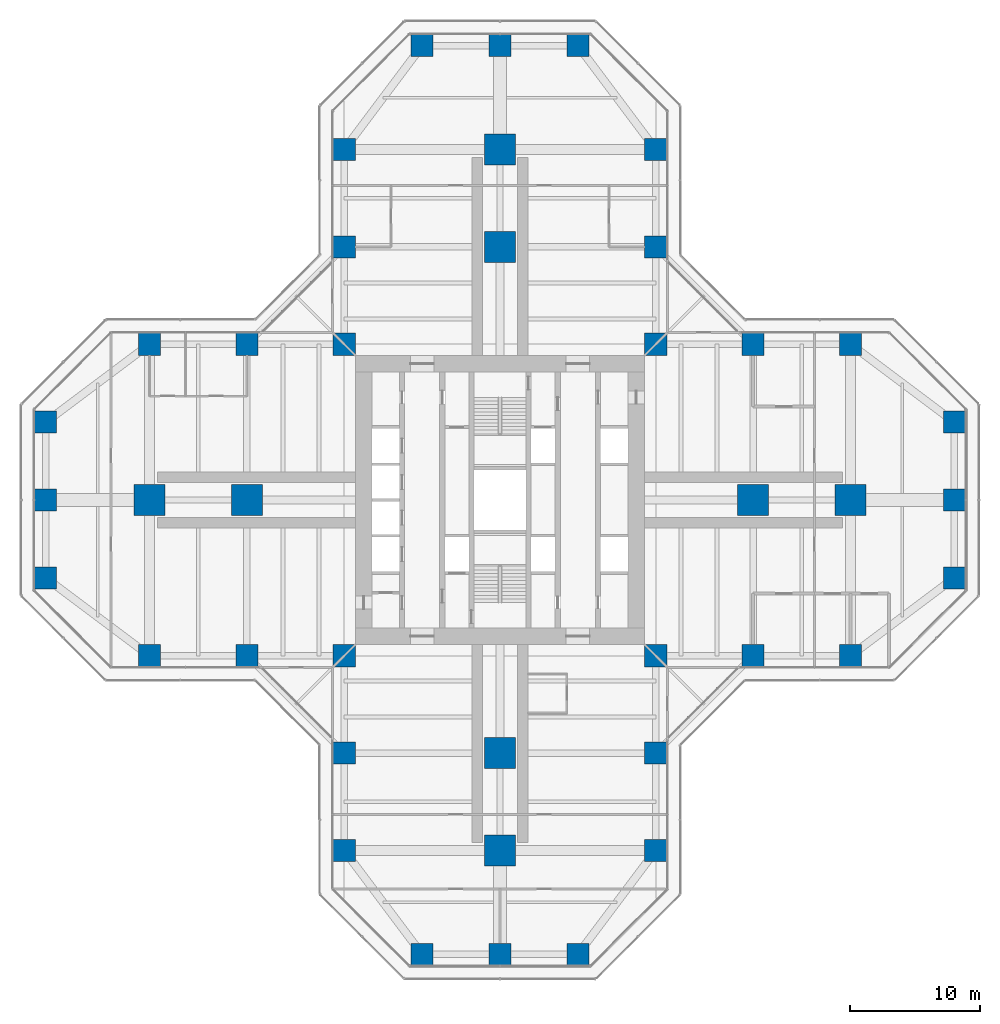
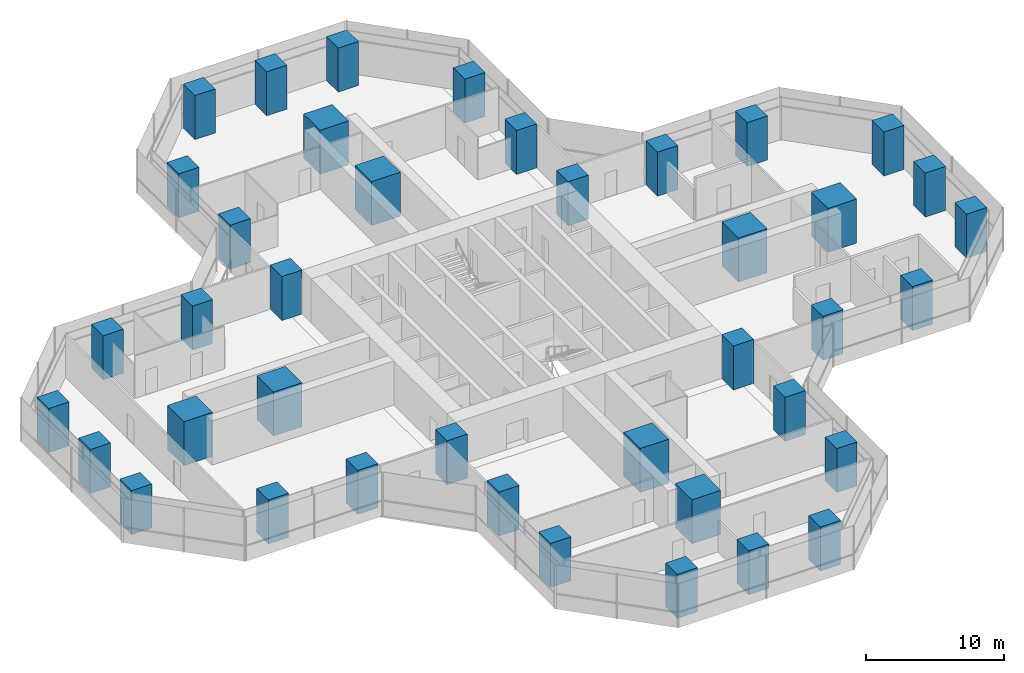
# One storey, part 1 of 22: 40 columns.
"""IFC4 building model written with IfcOpenShell, lengths in metres."""

from ifc_helpers import new_model, si_unit, direction, frame, origin, origin_2d, place, context, subcontext, project, spatial, rectangle, extrude, material, material_profile, profile_set, type_object, element, save


model = new_model("IFC4")

# Units and contexts
model_context = context("Model", 3, precision=1e-05, world=origin(), true_north=direction((0.0, 1.0)))
body_context = subcontext(model_context, "Body", "Model", "MODEL_VIEW")
ifc_project = project(units=[si_unit("LENGTHUNIT", "METRE"), si_unit("AREAUNIT", "SQUARE_METRE"), si_unit("VOLUMEUNIT", "CUBIC_METRE"), si_unit("PLANEANGLEUNIT", "RADIAN"), si_unit("MASSUNIT", "GRAM", prefix="KILO")], contexts=[model_context])

# Site, building, storey
site_placement = place(None, origin())
site = spatial("IfcSite", under=ifc_project, at=site_placement, CompositionType="ELEMENT")
building_placement = place(site_placement, origin())
building = spatial("IfcBuilding", under=site, at=building_placement, Name="Mizan Broadcast Tower", CompositionType="ELEMENT")
storey_placement = place(building_placement, frame((0.0, 0.0, 82.5)))
storey = spatial("IfcBuildingStorey", under=building, at=storey_placement, Name="L17", CompositionType="ELEMENT", Elevation=82.5)

# Columns
ifc_material_1 = material(Name="Concrete C70/85", Category="concrete")
ifc_material_profile_1 = material_profile(ifc_material_1, rectangle(XDim=1.699951171875, YDim=1.699951171875, at=origin_2d()), Name="RC 1700x1700")
ifc_profile_set_1 = profile_set([ifc_material_profile_1], Name="Concrete C70/85")
column_type_1 = type_object("IfcColumnType", Name="RC COLUMN 1700x1700 C70/85", PredefinedType="COLUMN", material=ifc_profile_set_1)
for number, where, z_axis, x_axis, name in (
    (1, (-6.0, -35.0, 0.0), (0.0, 0.0, 1.0), (1.0, 0.0, 0.0), "Column 5/A L17"),
    (2, (0.0, -35.0, 0.0), (0.0, 0.0, 1.0), (1.0, 0.0, 0.0), "Column 6/A L17"),
    (3, (6.0, -35.0, 0.0), (0.0, 0.0, 1.0), (1.0, 0.0, 0.0), "Column 7/A L17"),
    (4, (-12.0, -27.0, 0.0), (0.0, 0.0, 1.0), (1.0, 0.0, 0.0), "Column 4/B L17"),
    (5, (12.0, -27.0, 0.0), (0.0, 0.0, 1.0), (1.0, 0.0, 0.0), "Column 8/B L17"),
    (6, (-12.0, -19.5, 0.0), (0.0, 0.0, 1.0), (1.0, 0.0, 0.0), "Column 4/C L17"),
    (7, (12.0, -19.5, 0.0), (0.0, 0.0, 1.0), (1.0, 0.0, 0.0), "Column 8/C L17"),
    (8, (-27.0, -12.0, 0.0), (0.0, 0.0, 1.0), (1.0, 0.0, 0.0), "Column 2/D L17"),
    (9, (-19.5, -12.0, 0.0), (0.0, 0.0, 1.0), (1.0, 0.0, 0.0), "Column 3/D L17"),
    (10, (-12.0, -12.0, 0.0), (0.0, 0.0, 1.0), (1.0, 0.0, 0.0), "Column 4/D L17"),
    (11, (12.0, -12.0, 0.0), (0.0, 0.0, 1.0), (1.0, 0.0, 0.0), "Column 8/D L17"),
    (12, (19.5, -12.0, 0.0), (0.0, 0.0, 1.0), (1.0, 0.0, 0.0), "Column 9/D L17"),
    (13, (27.0, -12.0, 0.0), (0.0, 0.0, 1.0), (1.0, 0.0, 0.0), "Column 10/D L17"),
    (14, (-35.0, -6.0, 0.0), (0.0, 0.0, 1.0), (1.0, 0.0, 0.0), "Column 1/E L17"),
    (15, (35.0, -6.0, 0.0), (0.0, 0.0, 1.0), (1.0, 0.0, 0.0), "Column 11/E L17"),
    (16, (-35.0, 0.0, 0.0), (0.0, 0.0, 1.0), (1.0, 0.0, 0.0), "Column 1/F L17"),
    (17, (35.0, 0.0, 0.0), (0.0, 0.0, 1.0), (1.0, 0.0, 0.0), "Column 11/F L17"),
    (18, (-35.0, 6.0, 0.0), (0.0, 0.0, 1.0), (1.0, 0.0, 0.0), "Column 1/G L17"),
    (19, (35.0, 6.0, 0.0), (0.0, 0.0, 1.0), (1.0, 0.0, 0.0), "Column 11/G L17"),
    (20, (-27.0, 12.0, 0.0), (0.0, 0.0, 1.0), (1.0, 0.0, 0.0), "Column 2/H L17"),
    (21, (-19.5, 12.0, 0.0), (0.0, 0.0, 1.0), (1.0, 0.0, 0.0), "Column 3/H L17"),
    (22, (-12.0, 12.0, 0.0), (0.0, 0.0, 1.0), (1.0, 0.0, 0.0), "Column 4/H L17"),
    (23, (12.0, 12.0, 0.0), (0.0, 0.0, 1.0), (1.0, 0.0, 0.0), "Column 8/H L17"),
    (24, (19.5, 12.0, 0.0), (0.0, 0.0, 1.0), (1.0, 0.0, 0.0), "Column 9/H L17"),
    (25, (27.0, 12.0, 0.0), (0.0, 0.0, 1.0), (1.0, 0.0, 0.0), "Column 10/H L17"),
    (26, (-12.0, 19.5, 0.0), (0.0, 0.0, 1.0), (1.0, 0.0, 0.0), "Column 4/J L17"),
    (27, (12.0, 19.5, 0.0), (0.0, 0.0, 1.0), (1.0, 0.0, 0.0), "Column 8/J L17"),
    (28, (-12.0, 27.0, 0.0), (0.0, 0.0, 1.0), (1.0, 0.0, 0.0), "Column 4/K L17"),
    (29, (12.0, 27.0, 0.0), (0.0, 0.0, 1.0), (1.0, 0.0, 0.0), "Column 8/K L17"),
    (30, (-6.0, 35.0, 0.0), (0.0, 0.0, 1.0), (1.0, 0.0, 0.0), "Column 5/L L17"),
    (31, (0.0, 35.0, 0.0), (0.0, 0.0, 1.0), (1.0, 0.0, 0.0), "Column 6/L L17"),
    (32, (6.0, 35.0, 0.0), (0.0, 0.0, 1.0), (1.0, 0.0, 0.0), "Column 7/L L17"),
):
    element("IfcColumn", number, at=place(storey_placement, frame(where, z_axis=z_axis, x_axis=x_axis)), inside=storey, type_object=column_type_1, Name=name, PredefinedType="COLUMN", context=body_context, shape_type="SweptSolid", body=[
        extrude(rectangle(XDim=1.699951171875, YDim=1.699951171875, at=origin_2d()), origin(), (0.0, 0.0, 1.0), 3.89990234375),
    ])
ifc_material_2 = material(Name="Concrete C70/85", Category="concrete")
ifc_material_profile_2 = material_profile(ifc_material_2, rectangle(XDim=2.39990234375, YDim=2.39990234375, at=origin_2d()), Name="RC 2400x2400")
ifc_profile_set_2 = profile_set([ifc_material_profile_2], Name="Concrete C70/85")
column_type_2 = type_object("IfcColumnType", Name="RC COLUMN 2400x2400 C70/85", PredefinedType="COLUMN", material=ifc_profile_set_2)
for number, where, z_axis, x_axis, name in (
    (33, (0.0, -27.0, 0.0), (0.0, 0.0, 1.0), (1.0, 0.0, 0.0), "Column 6/B L17"),
    (34, (0.0, -19.5, 0.0), (0.0, 0.0, 1.0), (1.0, 0.0, 0.0), "Column 6/C L17"),
    (35, (-27.0, 0.0, 0.0), (0.0, 0.0, 1.0), (1.0, 0.0, 0.0), "Column 2/F L17"),
    (36, (-19.5, 0.0, 0.0), (0.0, 0.0, 1.0), (1.0, 0.0, 0.0), "Column 3/F L17"),
    (37, (19.5, 0.0, 0.0), (0.0, 0.0, 1.0), (1.0, 0.0, 0.0), "Column 9/F L17"),
    (38, (27.0, 0.0, 0.0), (0.0, 0.0, 1.0), (1.0, 0.0, 0.0), "Column 10/F L17"),
    (39, (0.0, 19.5, 0.0), (0.0, 0.0, 1.0), (1.0, 0.0, 0.0), "Column 6/J L17"),
    (40, (0.0, 27.0, 0.0), (0.0, 0.0, 1.0), (1.0, 0.0, 0.0), "Column 6/K L17"),
):
    element("IfcColumn", number, at=place(storey_placement, frame(where, z_axis=z_axis, x_axis=x_axis)), inside=storey, type_object=column_type_2, Name=name, PredefinedType="COLUMN", context=body_context, shape_type="SweptSolid", body=[
        extrude(rectangle(XDim=2.39990234375, YDim=2.39990234375, at=origin_2d()), origin(), (0.0, 0.0, 1.0), 3.89990234375),
    ])

save(model, "model.ifc")
